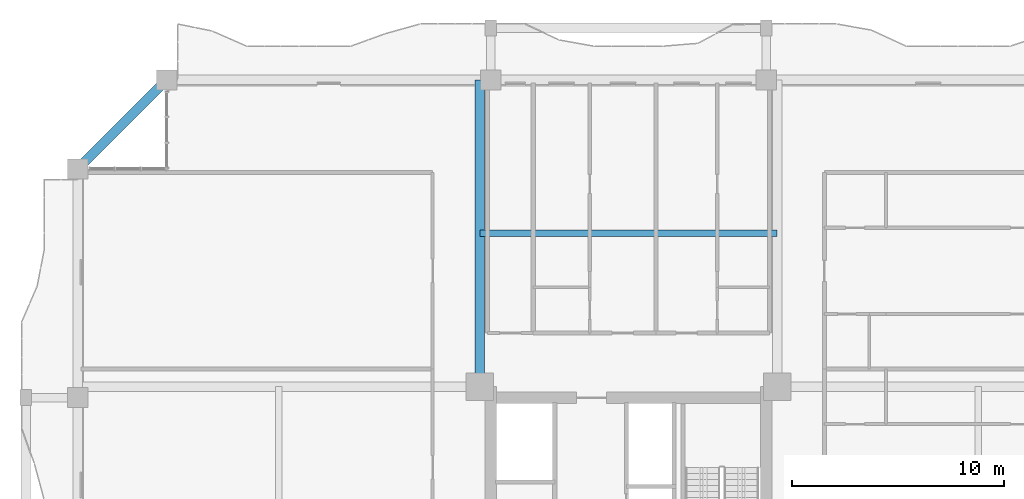
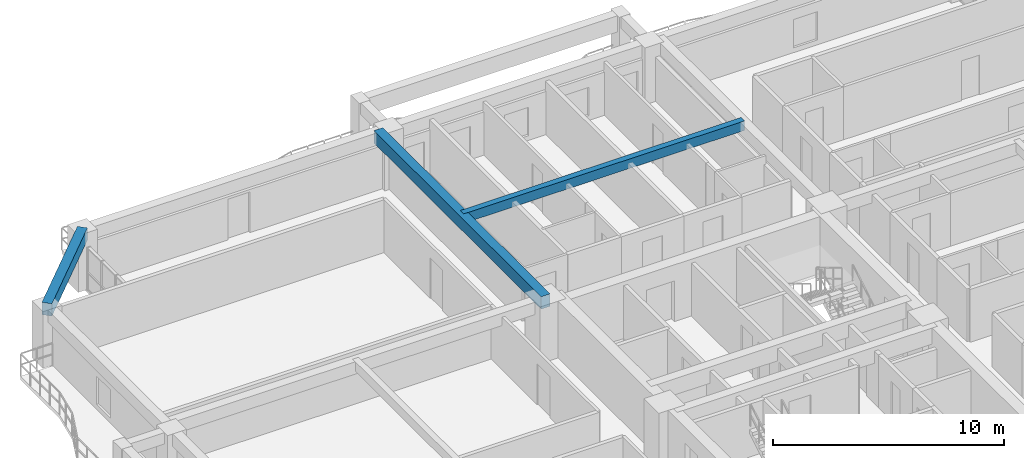
# One storey, part 7 of 24: 3 beams.
"""IFC4 building model written with IfcOpenShell, lengths in metres."""

from ifc_helpers import new_model, si_unit, direction, frame, origin, origin_2d, place, context, subcontext, project, spatial, rectangle, extrude, source, transform, mapped, material, material_profile, profile_set, type_object, element, save


model = new_model("IFC4")

# Units and contexts
model_context = context("Model", 3, precision=1e-05, world=origin(), true_north=direction((0.0, 1.0)))
body_context = subcontext(model_context, "Body", "Model", "MODEL_VIEW")
ifc_project = project(units=[si_unit("LENGTHUNIT", "METRE"), si_unit("AREAUNIT", "SQUARE_METRE"), si_unit("VOLUMEUNIT", "CUBIC_METRE"), si_unit("PLANEANGLEUNIT", "RADIAN"), si_unit("MASSUNIT", "GRAM", prefix="KILO")], contexts=[model_context])

# Site, building, storey
site_placement = place(None, origin())
site = spatial("IfcSite", under=ifc_project, at=site_placement, CompositionType="ELEMENT")
building_placement = place(site_placement, origin())
building = spatial("IfcBuilding", under=site, at=building_placement, Name="Saelheon Loggia Tower", CompositionType="ELEMENT")
storey_placement = place(building_placement, frame((0.0, 0.0, 98.85009765625)))
storey = spatial("IfcBuildingStorey", under=building, at=storey_placement, Name="L31", CompositionType="ELEMENT", Elevation=98.85009765625)

# Beams
ifc_material = material(Name="Concrete C40/50", Category="concrete")
ifc_material_profile_1 = material_profile(ifc_material, rectangle(XDim=0.449951171875, YDim=0.64990234375, at=origin_2d()), Name="RC-450x650")
ifc_profile_set_1 = profile_set([ifc_material_profile_1], Name="Concrete C40/50")
beam_type_1 = type_object("IfcBeamType", Name="Beam_PerimTower_RC450x650", PredefinedType="BEAM", material=ifc_profile_set_1)
shared_shape_1 = source(origin(), body_context, "Body", "SweptSolid", [
    extrude(rectangle(XDim=0.449951171875, YDim=0.64990234375, at=origin_2d()), origin(), (0.0, 0.0, 1.0), 5.939697265625),
])
beam_1_placement = place(storey_placement, frame((16.199951171875, 51.0, 2.6748046875), z_axis=(-0.707106781187, -0.707106781187, 0.0), x_axis=(0.707106781187, -0.707106781187, 0.0)))
element("IfcBeam", 1, at=beam_1_placement, inside=storey, type_object=beam_type_1, Name="L31 Perimeter Frame Girder 12", PredefinedType="BEAM", context=body_context, shape_type="MappedRepresentation", body=[
    mapped(shared_shape_1, transform((0.0, 0.0, 0.0), scale=1.0)),
])
ifc_material_profile_2 = material_profile(ifc_material, rectangle(XDim=0.449951171875, YDim=0.64990234375, at=origin_2d()), Name="RC-450x650")
ifc_profile_set_2 = profile_set([ifc_material_profile_2], Name="Concrete C40/50")
beam_type_2 = type_object("IfcBeamType", Name="Beam_TowerGirder_RC450x650", PredefinedType="BEAM", material=ifc_profile_set_2)
shared_shape_2 = source(origin(), body_context, "Body", "SweptSolid", [
    extrude(rectangle(XDim=0.449951171875, YDim=0.64990234375, at=origin_2d()), origin(), (0.0, 0.0, 1.0), 14.47998046875),
])
beam_2_placement = place(storey_placement, frame((30.97998046875, 36.52001953125, 2.6748046875), z_axis=(0.0, 1.0, 0.0), x_axis=(-1.0, 0.0, 0.0)))
element("IfcBeam", 2, at=beam_2_placement, inside=storey, type_object=beam_type_2, Name="L31 Radial Floor Girder RAD-NW-N", PredefinedType="BEAM", context=body_context, shape_type="MappedRepresentation", body=[
    mapped(shared_shape_2, transform((0.0, 0.0, 0.0), scale=1.0)),
])
ifc_material_profile_3 = material_profile(ifc_material, rectangle(XDim=0.300048828125, YDim=0.5, at=origin_2d()), Name="RC-300x500")
ifc_profile_set_3 = profile_set([ifc_material_profile_3], Name="Concrete C40/50")
beam_type_3 = type_object("IfcBeamType", Name="Beam_Joist_RC300x500", PredefinedType="JOIST", material=ifc_profile_set_3)
shared_shape_3 = source(origin(), body_context, "Body", "SweptSolid", [
    extrude(rectangle(XDim=0.300048828125, YDim=0.5, at=origin_2d()), origin(), (0.0, 0.0, 1.0), 14.0400390625),
])
beam_3_placement = place(storey_placement, frame((30.97998046875, 43.760009765625, 2.75), z_axis=(1.0, 0.0, 0.0), x_axis=(0.0, 1.0, 0.0)))
element("IfcBeam", 3, at=beam_3_placement, inside=storey, type_object=beam_type_3, Name="L31 North Floor Joist", PredefinedType="JOIST", context=body_context, shape_type="MappedRepresentation", body=[
    mapped(shared_shape_3, transform((0.0, 0.0, 0.0), scale=1.0)),
])

save(model, "model.ifc")
